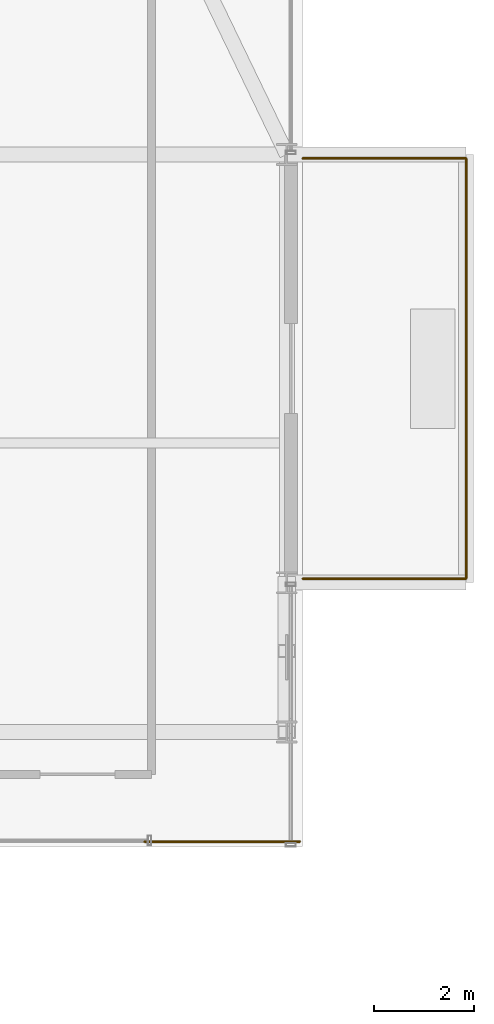
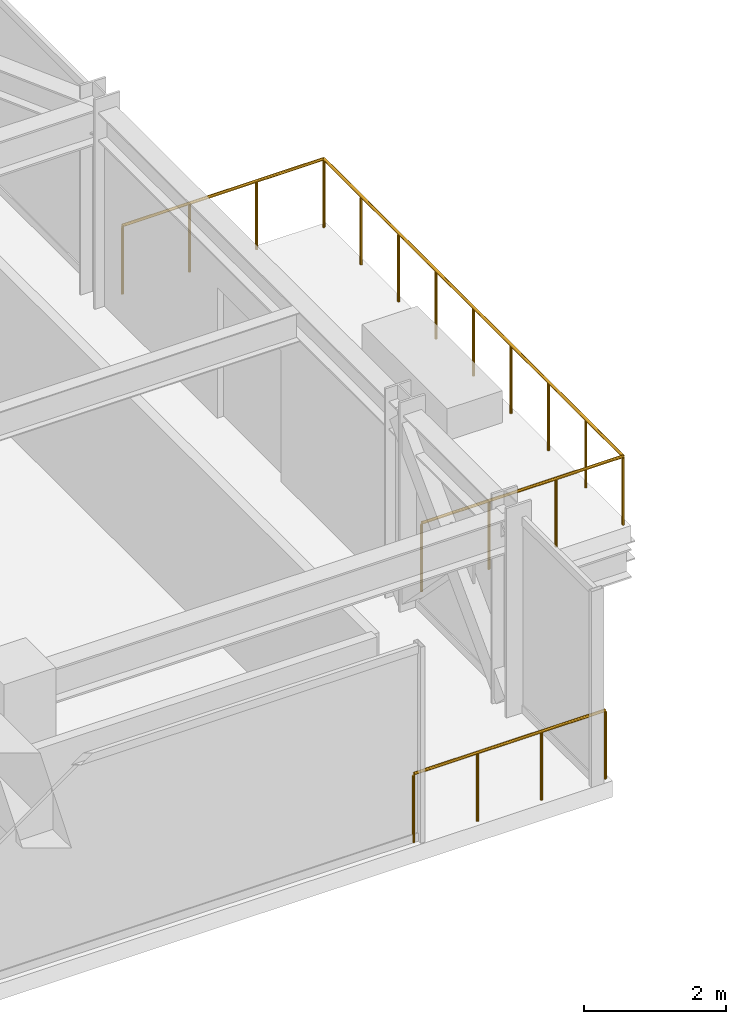
# One storey, part 42 of 43: 2 railings.
"""IFC4 building model written with IfcOpenShell, lengths in metres."""

from ifc_helpers import new_model, si_unit, direction, frame, origin, origin_2d, place, context, subcontext, project, spatial, circle, extrude, material, type_object, element, save


model = new_model("IFC4")

# Units and contexts
model_context = context("Model", 3, precision=1e-05, world=origin(), true_north=direction((0.0, 1.0)))
body_context = subcontext(model_context, "Body", "Model", "MODEL_VIEW")
ifc_project = project(units=[si_unit("LENGTHUNIT", "METRE"), si_unit("AREAUNIT", "SQUARE_METRE"), si_unit("VOLUMEUNIT", "CUBIC_METRE"), si_unit("PLANEANGLEUNIT", "RADIAN"), si_unit("MASSUNIT", "GRAM", prefix="KILO")], contexts=[model_context])

# Site, building, storey
site_placement = place(None, origin())
site = spatial("IfcSite", under=ifc_project, at=site_placement, CompositionType="ELEMENT")
building_placement = place(site_placement, origin())
building = spatial("IfcBuilding", under=site, at=building_placement, Name="Nahalor Promenade Grand Hotel", CompositionType="ELEMENT")
storey_placement = place(building_placement, frame((0.0, 0.0, 57.949951171875)))
storey = spatial("IfcBuildingStorey", under=building, at=storey_placement, Name="L13", CompositionType="ELEMENT", Elevation=57.949951171875)

# Railings
ifc_material = material(Name="Anodised Bronze Aluminium EN AW-6063 T6", Category="aluminium")
railing_type = type_object("IfcRailingType", Name="Bronze Balcony Guardrail 1200 mm", PredefinedType="GUARDRAIL", material=ifc_material)
railing_1_placement = place(storey_placement, frame((22.219970703125, 3.199951171875, 0.0)))
element("IfcRailing", 1, at=railing_1_placement, inside=storey, type_object=railing_type, Name="L13 Oculus Void Edge Guardrail EN", PredefinedType="GUARDRAIL", context=body_context, shape_type="SweptSolid", body=[
    extrude(circle(Radius=0.024048, at=origin_2d()), frame((0.0, 0.0, 1.17578125), z_axis=(1.0, 0.0, 0.0), x_axis=(0.0, 1.0, 0.0)), (0.0, 0.0, 1.0), 3.1201171875),
    extrude(circle(Radius=0.020996, at=origin_2d()), origin(), (0.0, 0.0, 1.0), 1.14990234375),
    extrude(circle(Radius=0.020996, at=origin_2d()), frame((1.0400390625, 0.0, 0.0)), (0.0, 0.0, 1.0), 1.14990234375),
    extrude(circle(Radius=0.020996, at=origin_2d()), frame((2.080078125, 0.0, 0.0)), (0.0, 0.0, 1.0), 1.14990234375),
    extrude(circle(Radius=0.020996, at=origin_2d()), frame((3.1201171875, 0.0, 0.0)), (0.0, 0.0, 1.0), 1.14990234375),
])
railing_2_placement = place(storey_placement, frame((25.39990234375, 8.47998046875, 0.0)))
element("IfcRailing", 2, at=railing_2_placement, inside=storey, type_object=railing_type, Name="L13 Balcony Guardrail 2", PredefinedType="GUARDRAIL", context=body_context, shape_type="SweptSolid", body=[
    extrude(circle(Radius=0.024048, at=origin_2d()), frame((0.0, 0.0, 1.17578125), z_axis=(1.0, 0.0, 0.0), x_axis=(0.0, 1.0, 0.0)), (0.0, 0.0, 1.0), 3.278076171875),
    extrude(circle(Radius=0.024048, at=origin_2d()), frame((3.280029296875, 0.001953125, 1.17578125), z_axis=(0.0, 1.0, 0.0), x_axis=(-1.0, 0.0, 0.0)), (0.0, 0.0, 1.0), 8.43603515625),
    extrude(circle(Radius=0.024048, at=origin_2d()), frame((3.278076171875, 8.43994140625, 1.17578125), z_axis=(-1.0, 0.0, 0.0), x_axis=(0.0, -1.0, 0.0)), (0.0, 0.0, 1.0), 3.278076171875),
    extrude(circle(Radius=0.020996, at=origin_2d()), origin(), (0.0, 0.0, 1.0), 1.14990234375),
    extrude(circle(Radius=0.020996, at=origin_2d()), frame((1.09326171875, 0.0, 0.0)), (0.0, 0.0, 1.0), 1.14990234375),
    extrude(circle(Radius=0.020996, at=origin_2d()), frame((2.186767578125, 0.0, 0.0)), (0.0, 0.0, 1.0), 1.14990234375),
    extrude(circle(Radius=0.020996, at=origin_2d()), frame((3.280029296875, 0.0, 0.0)), (0.0, 0.0, 1.0), 1.14990234375),
    extrude(circle(Radius=0.020996, at=origin_2d()), frame((3.280029296875, 1.054931640625, 0.0)), (0.0, 0.0, 1.0), 1.14990234375),
    extrude(circle(Radius=0.020996, at=origin_2d()), frame((3.280029296875, 2.10986328125, 0.0)), (0.0, 0.0, 1.0), 1.14990234375),
    extrude(circle(Radius=0.020996, at=origin_2d()), frame((3.280029296875, 3.1650390625, 0.0)), (0.0, 0.0, 1.0), 1.14990234375),
    extrude(circle(Radius=0.020996, at=origin_2d()), frame((3.280029296875, 4.219970703125, 0.0)), (0.0, 0.0, 1.0), 1.14990234375),
    extrude(circle(Radius=0.020996, at=origin_2d()), frame((3.280029296875, 5.27490234375, 0.0)), (0.0, 0.0, 1.0), 1.14990234375),
    extrude(circle(Radius=0.020996, at=origin_2d()), frame((3.280029296875, 6.330078125, 0.0)), (0.0, 0.0, 1.0), 1.14990234375),
    extrude(circle(Radius=0.020996, at=origin_2d()), frame((3.280029296875, 7.385009765625, 0.0)), (0.0, 0.0, 1.0), 1.14990234375),
    extrude(circle(Radius=0.020996, at=origin_2d()), frame((3.280029296875, 8.43994140625, 0.0)), (0.0, 0.0, 1.0), 1.14990234375),
    extrude(circle(Radius=0.020996, at=origin_2d()), frame((2.186767578125, 8.43994140625, 0.0)), (0.0, 0.0, 1.0), 1.14990234375),
    extrude(circle(Radius=0.020996, at=origin_2d()), frame((1.09326171875, 8.43994140625, 0.0)), (0.0, 0.0, 1.0), 1.14990234375),
    extrude(circle(Radius=0.020996, at=origin_2d()), frame((0.0, 8.43994140625, 0.0)), (0.0, 0.0, 1.0), 1.14990234375),
])

save(model, "model.ifc")
